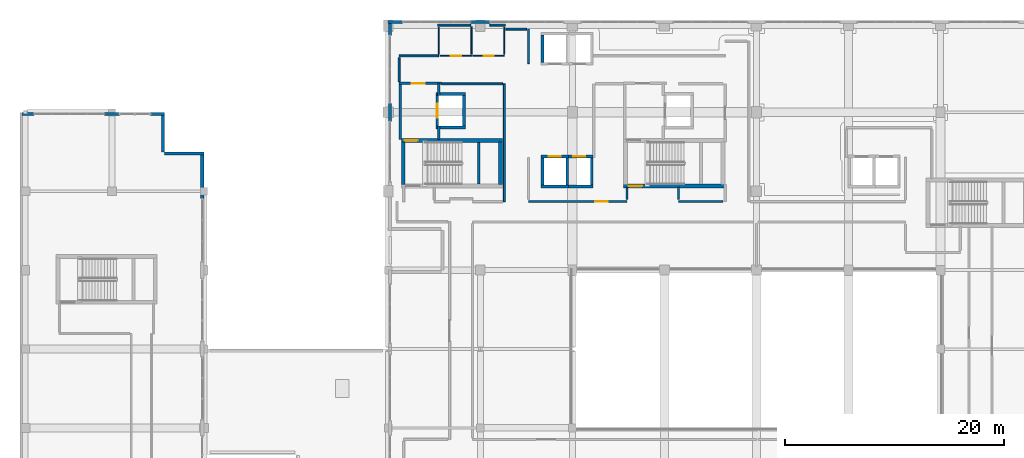
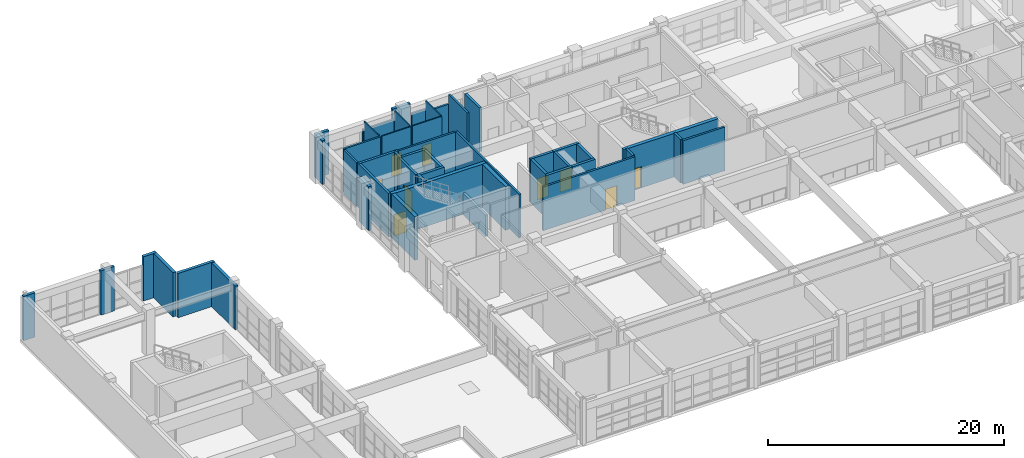
# One storey, part 108 of 123: 48 walls, 9 doors, 9 openings.
"""IFC4 building model written with IfcOpenShell, lengths in metres."""

from ifc_helpers import new_model, si_unit, direction, frame, frame_2d, origin, place, context, subcontext, project, spatial, rectangle, extrude, material, layer, layer_set, type_object, element, fill, save


model = new_model("IFC4")

# Units and contexts
model_context = context("Model", 3, precision=1e-05, world=origin(), true_north=direction((0.0, 1.0)))
body_context = subcontext(model_context, "Body", "Model", "MODEL_VIEW")
ifc_project = project(units=[si_unit("LENGTHUNIT", "METRE"), si_unit("AREAUNIT", "SQUARE_METRE"), si_unit("VOLUMEUNIT", "CUBIC_METRE"), si_unit("PLANEANGLEUNIT", "RADIAN"), si_unit("MASSUNIT", "GRAM", prefix="KILO")], contexts=[model_context])

# Site, building, storey
site_placement = place(None, origin())
site = spatial("IfcSite", under=ifc_project, at=site_placement, CompositionType="ELEMENT")
building_placement = place(site_placement, origin())
building = spatial("IfcBuilding", under=site, at=building_placement, Name="Quendrovan Civic Courthouse", CompositionType="ELEMENT")
storey_placement = place(building_placement, frame((0.0, 0.0, 5.39990234375)))
storey = spatial("IfcBuildingStorey", under=building, at=storey_placement, Name="L02", CompositionType="ELEMENT", Elevation=5.39990234375)

# Wall, opening, door
ifc_material_1 = material(Name="Concrete C45/55", Category="concrete")
ifc_layer_1 = layer(ifc_material_1, 0.35009765625, Name="Concrete C45/55")
ifc_layer_set_1 = layer_set([ifc_layer_1], Name="Concrete C45/55")
wall_type_1 = type_object("IfcWallType", Name="WL-CORE-350", PredefinedType="SHEAR", material=ifc_layer_set_1)
wall_1_placement = place(storey_placement, frame((44.010009765625, 99.43505859375, 0.0), z_axis=(0.0, 0.0, 1.0), x_axis=(-1.0, 0.0, 0.0)))
wall_1 = element("IfcWall", 1, at=wall_1_placement, inside=storey, type_object=wall_type_1, Name="L02 Core Shear Wall ST1-N", PredefinedType="SHEAR", context=body_context, shape_type="SweptSolid", body=[
    extrude(rectangle(XDim=9.219970703125, YDim=0.35009765625, at=frame_2d((4.60986328125, 0.0))), origin(), (0.0, 0.0, 1.0), 4.52001953125),
])
opening_1_placement = place(wall_1_placement, frame((7.719970703125, 0.0, 0.0)))
opening_1 = element("IfcOpeningElement", 2, at=opening_1_placement, cuts=wall_1, Name="Opening DFF-ST1-L02", PredefinedType="OPENING", context=body_context, shape_type="SweptSolid", body=[
    extrude(rectangle(XDim=1.199951171875, YDim=2.199951171875, at=frame_2d((0.60009765625, 1.10009765625))), frame((0.0, 0.18505859375, 0.0), z_axis=(0.0, -1.0, 0.0), x_axis=(1.0, 0.0, 0.0)), (0.0, 0.0, 1.0), 0.3701171875),
])
ifc_material_2 = material(Name="Painted galvanized hollow-metal steel", Category="steel")
door_type_1 = type_object("IfcDoorType", Name="DR-FFLOB-1200", OperationType="NOTDEFINED", PredefinedType="DOOR", material=ifc_material_2)
door_1_placement = place(opening_1_placement, origin())
door_1 = element("IfcDoor", 3, at=door_1_placement, inside=storey, type_object=door_type_1, Name="L02 Firefighting Lobby FL1 Direct Stair ST1 Door", OperationType="SINGLE_SWING_RIGHT", OverallHeight=2.199951171875, OverallWidth=1.199951171875, PredefinedType="DOOR", context=body_context, shape_type="SweptSolid", body=[
    extrude(rectangle(XDim=1.199951171875, YDim=2.199951171875, at=frame_2d((0.60009765625, 1.10009765625))), frame((0.0, 0.02490234375, 0.0), z_axis=(0.0, -1.0, 0.0), x_axis=(1.0, 0.0, 0.0)), (0.0, 0.0, 1.0), 0.050048828125),
])
fill(opening_1, door_1)

# Walls
for number, where, z_axis, x_axis, name in (
    (4, (34.965087890625, 95.39990234375, 0.0), (0.0, 0.0, 1.0), (0.0, 1.0, 0.0), "L02 Core Shear Wall ST1-W"),
    (5, (43.8349609375, 99.300048828125, 0.0), (0.0, 0.0, 1.0), (0.0, -1.0, 0.0), "L02 Core Shear Wall ST1-E"),
):
    element("IfcWall", number, at=place(storey_placement, frame(where, z_axis=z_axis, x_axis=x_axis)), inside=storey, type_object=wall_type_1, Name=name, PredefinedType="SHEAR", context=body_context, shape_type="SweptSolid", body=[
        extrude(rectangle(XDim=3.900146484375, YDim=0.35009765625, at=frame_2d((1.9501953125, 0.0))), origin(), (0.0, 0.0, 1.0), 4.52001953125),
    ])

# Wall, opening, door
wall_2_placement = place(storey_placement, frame((55.090087890625, 95.264892578125, 0.0), z_axis=(0.0, 0.0, 1.0), x_axis=(1.0, 0.0, 0.0)))
wall_2 = element("IfcWall", 6, at=wall_2_placement, inside=storey, type_object=wall_type_1, Name="L02 Core Shear Wall ST2-S", PredefinedType="SHEAR", context=body_context, shape_type="SweptSolid", body=[
    extrude(rectangle(XDim=9.219970703125, YDim=0.35009765625, at=frame_2d((4.60986328125, 0.0))), origin(), (0.0, 0.0, 1.0), 4.52001953125),
])
opening_2_placement = place(wall_2_placement, frame((0.449951171875, 0.0, 0.0)))
opening_2 = element("IfcOpeningElement", 7, at=opening_2_placement, cuts=wall_2, Name="Opening DS-ST2-L02", PredefinedType="OPENING", context=body_context, shape_type="SweptSolid", body=[
    extrude(rectangle(XDim=1.25, YDim=2.199951171875, at=frame_2d((0.625, 1.10009765625))), frame((0.0, 0.18505859375, 0.0), z_axis=(0.0, -1.0, 0.0), x_axis=(1.0, 0.0, 0.0)), (0.0, 0.0, 1.0), 0.3701171875),
])
door_type_2 = type_object("IfcDoorType", Name="DR-STAIR-1250", OperationType="NOTDEFINED", PredefinedType="DOOR", material=ifc_material_2)
door_2_placement = place(opening_2_placement, origin())
door_2 = element("IfcDoor", 8, at=door_2_placement, inside=storey, type_object=door_type_2, Name="L02 Exit Stair ST2 Fire Door", OperationType="SINGLE_SWING_LEFT", OverallHeight=2.199951171875, OverallWidth=1.25, PredefinedType="DOOR", context=body_context, shape_type="SweptSolid", body=[
    extrude(rectangle(XDim=1.25, YDim=2.199951171875, at=frame_2d((0.625, 1.10009765625))), frame((0.0, 0.02490234375, 0.0), z_axis=(0.0, -1.0, 0.0), x_axis=(1.0, 0.0, 0.0)), (0.0, 0.0, 1.0), 0.050048828125),
])
fill(opening_2, door_2)

# Walls
ifc_material_3 = material(Name="Acoustic gypsum and mineral wool partition")
ifc_layer_2 = layer(ifc_material_3, 0.179931640625, Name="Acoustic gypsum and mineral wool partition")
ifc_layer_set_2 = layer_set([ifc_layer_2], Name="Acoustic gypsum and mineral wool partition")
wall_type_2 = type_object("IfcWallType", Name="WL-CRT-AC180", PredefinedType="PARTITIONING", material=ifc_layer_set_2)
wall_3_placement = place(storey_placement, frame((44.199951171875, 104.60009765625, 0.0), z_axis=(0.0, 0.0, 1.0), x_axis=(0.0, -1.0, 0.0)))
element("IfcWall", 9, at=wall_3_placement, inside=storey, type_object=wall_type_2, Name="L02 Trial Courtroom Partition 0333", PredefinedType="PARTITIONING", context=body_context, shape_type="SweptSolid", body=[
    extrude(rectangle(XDim=10.75, YDim=0.179931640625, at=frame_2d((5.375, 0.0))), origin(), (0.0, 0.0, 1.0), 4.52001953125),
])
wall_4_placement = place(storey_placement, frame((44.300048828125, 109.949951171875, 0.0), z_axis=(0.0, 0.0, 1.0), x_axis=(-1.0, 0.0, 0.0)))
element("IfcWall", 10, at=wall_4_placement, inside=storey, type_object=wall_type_2, Name="L02 Trial Courtroom Partition 0346", PredefinedType="PARTITIONING", context=body_context, shape_type="SweptSolid", body=[
    extrude(rectangle(XDim=1.425048828125, YDim=0.179931640625, at=frame_2d((0.71240234375, 0.0))), origin(), (0.0, 0.0, 1.0), 3.60009765625),
])
wall_5_placement = place(storey_placement, frame((41.125, 109.949951171875, 0.0), z_axis=(0.0, 0.0, 1.0), x_axis=(-1.0, 0.0, 0.0)))
element("IfcWall", 11, at=wall_5_placement, inside=storey, type_object=wall_type_2, Name="L02 Trial Courtroom Partition 0347", PredefinedType="PARTITIONING", context=body_context, shape_type="SweptSolid", body=[
    extrude(rectangle(XDim=3.02490234375, YDim=0.179931640625, at=frame_2d((1.512451171875, 0.0))), origin(), (0.0, 0.0, 1.0), 3.60009765625),
])
wall_6_placement = place(storey_placement, frame((38.47998046875, 104.60009765625, 0.0), z_axis=(0.0, 0.0, 1.0), x_axis=(1.0, 0.0, 0.0)))
element("IfcWall", 12, at=wall_6_placement, inside=storey, type_object=wall_type_2, Name="L02 Trial Courtroom Partition 0349", PredefinedType="PARTITIONING", context=body_context, shape_type="SweptSolid", body=[
    extrude(rectangle(XDim=5.550048828125, YDim=0.179931640625, at=frame_2d((2.77490234375, 0.0))), origin(), (0.0, 0.0, 1.0), 4.52001953125),
])
wall_7_placement = place(storey_placement, frame((38.199951171875, 107.14990234375, 0.0), z_axis=(0.0, 0.0, 1.0), x_axis=(-1.0, 0.0, 0.0)))
element("IfcWall", 13, at=wall_7_placement, inside=storey, type_object=wall_type_2, Name="L02 Trial Courtroom Partition 0372", PredefinedType="PARTITIONING", context=body_context, shape_type="SweptSolid", body=[
    extrude(rectangle(XDim=3.599853515625, YDim=0.179931640625, at=frame_2d((1.7998046875, 0.0))), origin(), (0.0, 0.0, 1.0), 4.52001953125),
])
wall_8_placement = place(storey_placement, frame((46.39990234375, 106.449951171875, 0.0), z_axis=(0.0, 0.0, 1.0), x_axis=(0.0, 1.0, 0.0)))
element("IfcWall", 14, at=wall_8_placement, inside=storey, type_object=wall_type_2, Name="L02 Trial Courtroom Partition 0375", PredefinedType="PARTITIONING", context=body_context, shape_type="SweptSolid", body=[
    extrude(rectangle(XDim=3.150146484375, YDim=0.179931640625, at=frame_2d((1.5751953125, 0.0))), origin(), (0.0, 0.0, 1.0), 4.52001953125),
])
wall_9_placement = place(storey_placement, frame((34.60009765625, 106.97998046875, 0.0), z_axis=(0.0, 0.0, 1.0), x_axis=(0.0, -1.0, 0.0)))
element("IfcWall", 15, at=wall_9_placement, inside=storey, type_object=wall_type_2, Name="L02 Trial Courtroom Partition 0394", PredefinedType="PARTITIONING", context=body_context, shape_type="SweptSolid", body=[
    extrude(rectangle(XDim=2.2099609375, YDim=0.179931640625, at=frame_2d((1.10498046875, 0.0))), origin(), (0.0, 0.0, 1.0), 4.52001953125),
])
wall_10_placement = place(storey_placement, frame((46.22998046875, 109.60009765625, 0.0), z_axis=(0.0, 0.0, 1.0), x_axis=(-1.0, 0.0, 0.0)))
element("IfcWall", 16, at=wall_10_placement, inside=storey, type_object=wall_type_2, Name="L02 Trial Courtroom Partition 0401", PredefinedType="PARTITIONING", context=body_context, shape_type="SweptSolid", body=[
    extrude(rectangle(XDim=1.89501953125, YDim=0.179931640625, at=frame_2d((0.947509765625, 0.0))), origin(), (0.0, 0.0, 1.0), 3.60009765625),
])

# Wall, opening, door
ifc_material_4 = material(Name="Concrete C40/50", Category="concrete")
ifc_layer_3 = layer(ifc_material_4, 0.199951171875, Name="Concrete C40/50")
ifc_layer_set_3 = layer_set([ifc_layer_3], Name="Concrete C40/50")
wall_type_3 = type_object("IfcWallType", Name="WL-CUST-200", PredefinedType="PARTITIONING", material=ifc_layer_set_3)
wall_11_placement = place(storey_placement, frame((55.39990234375, 93.85009765625, 0.0), z_axis=(0.0, 0.0, 1.0), x_axis=(-1.0, 0.0, 0.0)))
wall_11 = element("IfcWall", 17, at=wall_11_placement, inside=storey, type_object=wall_type_3, Name="L02 Civil Case Docketing Office Partition 0337", PredefinedType="PARTITIONING", context=body_context, shape_type="SweptSolid", body=[
    extrude(rectangle(XDim=9.0, YDim=0.199951171875, at=frame_2d((4.5, 0.0))), origin(), (0.0, 0.0, 1.0), 4.52001953125),
])
opening_3_placement = place(wall_11_placement, frame((1.780029296875, 0.0, 0.0)))
opening_3 = element("IfcOpeningElement", 18, at=opening_3_placement, cuts=wall_11, Name="Opening D-L02-054", PredefinedType="OPENING", context=body_context, shape_type="SweptSolid", body=[
    extrude(rectangle(XDim=1.1201171875, YDim=2.14990234375, at=frame_2d((0.56005859375, 1.074951171875))), frame((0.0, 0.10986328125, 0.0), z_axis=(0.0, -1.0, 0.0), x_axis=(1.0, 0.0, 0.0)), (0.0, 0.0, 1.0), 0.219970703125),
])
ifc_material_5 = material(Name="Heavy-gauge security steel door", Category="steel")
door_type_3 = type_object("IfcDoorType", Name="DR-CUST-1120", OperationType="NOTDEFINED", PredefinedType="DOOR", material=ifc_material_5)
door_3_placement = place(opening_3_placement, origin())
door_3 = element("IfcDoor", 19, at=door_3_placement, inside=storey, type_object=door_type_3, Name="L02 Civil Case Docketing Office Door D-L02-054", OperationType="SINGLE_SWING_LEFT", OverallHeight=2.14990234375, OverallWidth=1.1201171875, PredefinedType="DOOR", context=body_context, shape_type="SweptSolid", body=[
    extrude(rectangle(XDim=1.1201171875, YDim=2.14990234375, at=frame_2d((0.56005859375, 1.074951171875))), frame((0.0, 0.02490234375, 0.0), z_axis=(0.0, -1.0, 0.0), x_axis=(1.0, 0.0, 0.0)), (0.0, 0.0, 1.0), 0.050048828125),
])
fill(opening_3, door_3)

# Walls
wall_12_placement = place(storey_placement, frame((64.169921875, 93.85009765625, 0.0), z_axis=(0.0, 0.0, 1.0), x_axis=(-1.0, 0.0, 0.0)))
element("IfcWall", 20, at=wall_12_placement, inside=storey, type_object=wall_type_3, Name="L02 Case Docketing and Clerk Suite Partition 0365", PredefinedType="PARTITIONING", context=body_context, shape_type="SweptSolid", body=[
    extrude(rectangle(XDim=4.06982421875, YDim=0.199951171875, at=frame_2d((2.034912109375, 0.0))), origin(), (0.0, 0.0, 1.0), 4.52001953125),
])
for number, where, z_axis, x_axis, name in (
    (21, (55.39990234375, 95.179931640625, 0.0), (0.0, 0.0, 1.0), (0.0, -1.0, 0.0), "L02 Civil Case Docketing Office Partition 0417"),
    (22, (60.10009765625, 94.030029296875, 0.0), (0.0, 0.0, 1.0), (0.0, 1.0, 0.0), "L02 Case Docketing and Clerk Suite Partition 0418"),
):
    element("IfcWall", number, at=place(storey_placement, frame(where, z_axis=z_axis, x_axis=x_axis)), inside=storey, type_object=wall_type_3, Name=name, PredefinedType="PARTITIONING", context=body_context, shape_type="SweptSolid", body=[
        extrude(rectangle(XDim=1.14990234375, YDim=0.199951171875, at=frame_2d((0.574951171875, 0.0))), origin(), (0.0, 0.0, 1.0), 4.52001953125),
    ])
ifc_material_6 = material(Name="Precast concrete C45/55", Category="concrete")
ifc_layer_4 = layer(ifc_material_6, 0.2900390625, Name="Precast concrete C45/55")
ifc_layer_set_4 = layer_set([ifc_layer_4], Name="Precast concrete C45/55")
wall_type_4 = type_object("IfcWallType", Name="WL-EXT-PC290", PredefinedType="SOLIDWALL", material=ifc_layer_set_4)
wall_13_placement = place(storey_placement, frame((0.175048828125, 101.8349609375, 0.0), z_axis=(0.0, 0.0, 1.0), x_axis=(1.0, 0.0, 0.0)))
element("IfcWall", 23, at=wall_13_placement, inside=storey, type_object=wall_type_4, Name="L02 Exterior Pier Wall 166", PredefinedType="SOLIDWALL", context=body_context, shape_type="SweptSolid", body=[
    extrude(rectangle(XDim=1.125, YDim=0.2900390625, at=frame_2d((0.5625, 0.0))), origin(), (0.0, 0.0, 1.0), 4.580078125),
])
wall_14_placement = place(storey_placement, frame((7.72509765625, 101.8349609375, 0.0), z_axis=(0.0, 0.0, 1.0), x_axis=(1.0, 0.0, 0.0)))
element("IfcWall", 24, at=wall_14_placement, inside=storey, type_object=wall_type_4, Name="L02 Exterior Pier Wall 167", PredefinedType="SOLIDWALL", context=body_context, shape_type="SweptSolid", body=[
    extrude(rectangle(XDim=1.349853515625, YDim=0.2900390625, at=frame_2d((0.6748046875, 0.0))), origin(), (0.0, 0.0, 1.0), 4.580078125),
])
wall_15_placement = place(storey_placement, frame((11.89990234375, 101.8349609375, 0.0), z_axis=(0.0, 0.0, 1.0), x_axis=(1.0, 0.0, 0.0)))
element("IfcWall", 25, at=wall_15_placement, inside=storey, type_object=wall_type_4, Name="L02 Exterior Pier Wall 168", PredefinedType="SOLIDWALL", context=body_context, shape_type="SweptSolid", body=[
    extrude(rectangle(XDim=1.300048828125, YDim=0.2900390625, at=frame_2d((0.64990234375, 0.0))), origin(), (0.0, 0.0, 1.0), 4.580078125),
])
for number, where, z_axis, x_axis, name in (
    (26, (13.034912109375, 102.0, 0.0), (0.0, 0.0, 1.0), (0.0, -1.0, 0.0), "L02 Exterior Civic Portal Wall 169"),
    (27, (13.199951171875, 98.235107421875, 0.0), (0.0, 0.0, 1.0), (1.0, 0.0, 0.0), "L02 Exterior Civic Portal Wall 170"),
):
    element("IfcWall", number, at=place(storey_placement, frame(where, z_axis=z_axis, x_axis=x_axis)), inside=storey, type_object=wall_type_4, Name=name, PredefinedType="SOLIDWALL", context=body_context, shape_type="SweptSolid", body=[
        extrude(rectangle(XDim=3.60009765625, YDim=0.2900390625, at=frame_2d((1.800048828125, 0.0))), origin(), (0.0, 0.0, 1.0), 4.580078125),
    ])
wall_16_placement = place(storey_placement, frame((16.635009765625, 98.39990234375, 0.0), z_axis=(0.0, 0.0, 1.0), x_axis=(0.0, -1.0, 0.0)))
element("IfcWall", 28, at=wall_16_placement, inside=storey, type_object=wall_type_4, Name="L02 Exterior Pier Wall 171", PredefinedType="SOLIDWALL", context=body_context, shape_type="SweptSolid", body=[
    extrude(rectangle(XDim=4.27490234375, YDim=0.2900390625, at=frame_2d((2.137451171875, 0.0))), origin(), (0.0, 0.0, 1.0), 4.52001953125),
])
wall_17_placement = place(storey_placement, frame((33.764892578125, 101.175048828125, 0.0), z_axis=(0.0, 0.0, 1.0), x_axis=(0.0, 1.0, 0.0)))
element("IfcWall", 29, at=wall_17_placement, inside=storey, type_object=wall_type_4, Name="L02 Exterior Pier Wall 200", PredefinedType="SOLIDWALL", context=body_context, shape_type="SweptSolid", body=[
    extrude(rectangle(XDim=1.64990234375, YDim=0.2900390625, at=frame_2d((0.824951171875, 0.0))), origin(), (0.0, 0.0, 1.0), 4.52001953125),
])
wall_18_placement = place(storey_placement, frame((33.764892578125, 109.02490234375, 0.0), z_axis=(0.0, 0.0, 1.0), x_axis=(0.0, 1.0, 0.0)))
element("IfcWall", 30, at=wall_18_placement, inside=storey, type_object=wall_type_4, Name="L02 Exterior Pier Wall 201", PredefinedType="SOLIDWALL", context=body_context, shape_type="SweptSolid", body=[
    extrude(rectangle(XDim=1.375, YDim=0.2900390625, at=frame_2d((0.6875, 0.0))), origin(), (0.0, 0.0, 1.0), 4.52001953125),
])
wall_19_placement = place(storey_placement, frame((33.60009765625, 110.235107421875, 0.0), z_axis=(0.0, 0.0, 1.0), x_axis=(1.0, 0.0, 0.0)))
element("IfcWall", 31, at=wall_19_placement, inside=storey, type_object=wall_type_4, Name="L02 Exterior Pier Wall 202", PredefinedType="SOLIDWALL", context=body_context, shape_type="SweptSolid", body=[
    extrude(rectangle(XDim=1.2998046875, YDim=0.2900390625, at=frame_2d((0.64990234375, 0.0))), origin(), (0.0, 0.0, 1.0), 4.52001953125),
])
wall_20_placement = place(storey_placement, frame((41.125, 110.235107421875, 0.0), z_axis=(0.0, 0.0, 1.0), x_axis=(1.0, 0.0, 0.0)))
element("IfcWall", 32, at=wall_20_placement, inside=storey, type_object=wall_type_4, Name="L02 Exterior Pier Wall 203", PredefinedType="SOLIDWALL", context=body_context, shape_type="SweptSolid", body=[
    extrude(rectangle(XDim=1.75, YDim=0.2900390625, at=frame_2d((0.875, 0.0))), origin(), (0.0, 0.0, 1.0), 4.52001953125),
])

# Wall, opening, door
ifc_layer_5 = layer(ifc_material_4, 0.22998046875, Name="Concrete C40/50")
ifc_layer_set_5 = layer_set([ifc_layer_5], Name="Concrete C40/50")
wall_type_5 = type_object("IfcWallType", Name="WL-FFLOB-230", PredefinedType="PARTITIONING", material=ifc_layer_set_5)
wall_21_placement = place(storey_placement, frame((34.590087890625, 104.64990234375, 0.0), z_axis=(0.0, 0.0, 1.0), x_axis=(1.0, 0.0, 0.0)))
wall_21 = element("IfcWall", 33, at=wall_21_placement, inside=storey, type_object=wall_type_5, Name="L02 Firefighting Lift Lobby FL1 Wall N", PredefinedType="PARTITIONING", context=body_context, shape_type="SweptSolid", body=[
    extrude(rectangle(XDim=3.889892578125, YDim=0.22998046875, at=frame_2d((1.94482421875, 0.0))), origin(), (0.0, 0.0, 1.0), 4.52001953125),
])
opening_4_placement = place(wall_21_placement, frame((1.14990234375, 0.0, 0.0)))
opening_4 = element("IfcOpeningElement", 34, at=opening_4_placement, cuts=wall_21, Name="Opening DF-FL1-L02N", PredefinedType="OPENING", context=body_context, shape_type="SweptSolid", body=[
    extrude(rectangle(XDim=1.199951171875, YDim=2.199951171875, at=frame_2d((0.60009765625, 1.10009765625))), frame((0.0, 0.125, 0.0), z_axis=(0.0, -1.0, 0.0), x_axis=(1.0, 0.0, 0.0)), (0.0, 0.0, 1.0), 0.25),
])
door_4_placement = place(opening_4_placement, origin())
door_4 = element("IfcDoor", 35, at=door_4_placement, inside=storey, type_object=door_type_1, Name="L02 Firefighting Lobby FL1 Fire Door N", OperationType="SINGLE_SWING_LEFT", OverallHeight=2.199951171875, OverallWidth=1.199951171875, PredefinedType="DOOR", context=body_context, shape_type="SweptSolid", body=[
    extrude(rectangle(XDim=1.199951171875, YDim=2.199951171875, at=frame_2d((0.60009765625, 1.10009765625))), frame((0.0, 0.02490234375, 0.0), z_axis=(0.0, -1.0, 0.0), x_axis=(1.0, 0.0, 0.0)), (0.0, 0.0, 1.0), 0.050048828125),
])
fill(opening_4, door_4)

# Walls
wall_22_placement = place(storey_placement, frame((34.699951171875, 99.5, 0.0), z_axis=(0.0, 0.0, 1.0), x_axis=(0.0, 1.0, 0.0)))
element("IfcWall", 36, at=wall_22_placement, inside=storey, type_object=wall_type_5, Name="L02 Firefighting Lift Lobby FL1 Wall W", PredefinedType="PARTITIONING", context=body_context, shape_type="SweptSolid", body=[
    extrude(rectangle(XDim=5.260009765625, YDim=0.22998046875, at=frame_2d((2.6298828125, 0.0))), origin(), (0.0, 0.0, 1.0), 4.52001953125),
])
wall_23_placement = place(storey_placement, frame((38.199951171875, 104.64990234375, 0.0), z_axis=(0.0, 0.0, 1.0), x_axis=(0.0, -1.0, 0.0)))
element("IfcWall", 37, at=wall_23_placement, inside=storey, type_object=wall_type_5, Name="L02 Firefighting Lift Lobby FL1 Wall EN", PredefinedType="PARTITIONING", context=body_context, shape_type="SweptSolid", body=[
    extrude(rectangle(XDim=1.099853515625, YDim=0.22998046875, at=frame_2d((0.5498046875, 0.0))), origin(), (0.0, 0.0, 1.0), 4.52001953125),
])
wall_24_placement = place(storey_placement, frame((38.199951171875, 100.75, 0.0), z_axis=(0.0, 0.0, 1.0), x_axis=(0.0, -1.0, 0.0)))
element("IfcWall", 38, at=wall_24_placement, inside=storey, type_object=wall_type_5, Name="L02 Firefighting Lift Lobby FL1 Wall ES", PredefinedType="PARTITIONING", context=body_context, shape_type="SweptSolid", body=[
    extrude(rectangle(XDim=1.25, YDim=0.22998046875, at=frame_2d((0.625, 0.0))), origin(), (0.0, 0.0, 1.0), 4.52001953125),
])
ifc_layer_6 = layer(ifc_material_1, 0.25, Name="Concrete C45/55")
ifc_layer_set_6 = layer_set([ifc_layer_6], Name="Concrete C45/55")
wall_type_6 = type_object("IfcWallType", Name="WL-SHAFT-250", PredefinedType="SHEAR", material=ifc_layer_set_6)
wall_25_placement = place(storey_placement, frame((41.85009765625, 95.449951171875, 0.0), z_axis=(0.0, 0.0, 1.0), x_axis=(0.0, 1.0, 0.0)))
element("IfcWall", 39, at=wall_25_placement, inside=storey, type_object=wall_type_6, Name="L02 Stair ST1 Mid-Landing Bearing Wall", PredefinedType="SHEAR", context=body_context, shape_type="SweptSolid", body=[
    extrude(rectangle(XDim=3.800048828125, YDim=0.25, at=frame_2d((1.89990234375, 0.0))), origin(), (0.0, 0.0, 1.0), 2.22021484375),
])
wall_26_placement = place(storey_placement, frame((47.550048828125, 95.22509765625, 0.0), z_axis=(0.0, 0.0, 1.0), x_axis=(1.0, 0.0, 0.0)))
element("IfcWall", 40, at=wall_26_placement, inside=storey, type_object=wall_type_6, Name="L02 Lift Hoistway Wall PL3 -Y", PredefinedType="SHEAR", context=body_context, shape_type="SweptSolid", body=[
    extrude(rectangle(XDim=2.5, YDim=0.25, at=frame_2d((1.25, 0.0))), origin(), (0.0, 0.0, 1.0), 4.52001953125),
])

# Wall, opening, door
wall_27_placement = place(storey_placement, frame((50.050048828125, 97.97509765625, 0.0), z_axis=(0.0, 0.0, 1.0), x_axis=(-1.0, 0.0, 0.0)))
wall_27 = element("IfcWall", 41, at=wall_27_placement, inside=storey, type_object=wall_type_6, Name="L02 Lift Hoistway Wall PL3 +Y", PredefinedType="SHEAR", context=body_context, shape_type="SweptSolid", body=[
    extrude(rectangle(XDim=2.5, YDim=0.25, at=frame_2d((1.25, 0.0))), origin(), (0.0, 0.0, 1.0), 4.52001953125),
])
opening_5_placement = place(wall_27_placement, frame((0.699951171875, 0.0, 0.0)))
opening_5 = element("IfcOpeningElement", 42, at=opening_5_placement, cuts=wall_27, Name="Opening LD-PL3-L02", PredefinedType="OPENING", context=body_context, shape_type="SweptSolid", body=[
    extrude(rectangle(XDim=1.10009765625, YDim=2.199951171875, at=frame_2d((0.550048828125, 1.10009765625))), frame((0.0, 0.135009765625, 0.0), z_axis=(0.0, -1.0, 0.0), x_axis=(1.0, 0.0, 0.0)), (0.0, 0.0, 1.0), 0.27001953125),
])
ifc_material_7 = material(Name="Brushed bronze-anodised stainless steel", Category="steel")
door_type_4 = type_object("IfcDoorType", Name="DR-LIFT-LD-PL", OperationType="NOTDEFINED", PredefinedType="DOOR", material=ifc_material_7)
door_5_placement = place(opening_5_placement, origin())
door_5 = element("IfcDoor", 43, at=door_5_placement, inside=storey, type_object=door_type_4, Name="L02 Lift PL3 Sliding Landing Door", OperationType="SLIDING_TO_LEFT", OverallHeight=2.199951171875, OverallWidth=1.10009765625, PredefinedType="DOOR", context=body_context, shape_type="SweptSolid", body=[
    extrude(rectangle(XDim=1.10009765625, YDim=2.199951171875, at=frame_2d((0.550048828125, 1.10009765625))), frame((0.0, 0.02490234375, 0.0), z_axis=(0.0, -1.0, 0.0), x_axis=(1.0, 0.0, 0.0)), (0.0, 0.0, 1.0), 0.050048828125),
])
fill(opening_5, door_5)

# Walls
for number, where, z_axis, x_axis, name in (
    (44, (47.675048828125, 95.35009765625, 0.0), (0.0, 0.0, 1.0), (0.0, 1.0, 0.0), "L02 Lift Hoistway Wall PL3 -X"),
    (45, (49.925048828125, 97.85009765625, 0.0), (0.0, 0.0, 1.0), (0.0, -1.0, 0.0), "L02 Lift Hoistway Wall PL3 +X"),
    (46, (49.800048828125, 95.22509765625, 0.0), (0.0, 0.0, 1.0), (1.0, 0.0, 0.0), "L02 Lift Hoistway Wall PL4 -Y"),
):
    element("IfcWall", number, at=place(storey_placement, frame(where, z_axis=z_axis, x_axis=x_axis)), inside=storey, type_object=wall_type_6, Name=name, PredefinedType="SHEAR", context=body_context, shape_type="SweptSolid", body=[
        extrude(rectangle(XDim=2.5, YDim=0.25, at=frame_2d((1.25, 0.0))), origin(), (0.0, 0.0, 1.0), 4.52001953125),
    ])

# Wall, opening, door
wall_28_placement = place(storey_placement, frame((52.300048828125, 97.97509765625, 0.0), z_axis=(0.0, 0.0, 1.0), x_axis=(-1.0, 0.0, 0.0)))
wall_28 = element("IfcWall", 47, at=wall_28_placement, inside=storey, type_object=wall_type_6, Name="L02 Lift Hoistway Wall PL4 +Y", PredefinedType="SHEAR", context=body_context, shape_type="SweptSolid", body=[
    extrude(rectangle(XDim=2.5, YDim=0.25, at=frame_2d((1.25, 0.0))), origin(), (0.0, 0.0, 1.0), 4.52001953125),
])
opening_6_placement = place(wall_28_placement, frame((0.699951171875, 0.0, 0.0)))
opening_6 = element("IfcOpeningElement", 48, at=opening_6_placement, cuts=wall_28, Name="Opening LD-PL4-L02", PredefinedType="OPENING", context=body_context, shape_type="SweptSolid", body=[
    extrude(rectangle(XDim=1.10009765625, YDim=2.199951171875, at=frame_2d((0.550048828125, 1.10009765625))), frame((0.0, 0.135009765625, 0.0), z_axis=(0.0, -1.0, 0.0), x_axis=(1.0, 0.0, 0.0)), (0.0, 0.0, 1.0), 0.27001953125),
])
door_6_placement = place(opening_6_placement, origin())
door_6 = element("IfcDoor", 49, at=door_6_placement, inside=storey, type_object=door_type_4, Name="L02 Lift PL4 Sliding Landing Door", OperationType="SLIDING_TO_LEFT", OverallHeight=2.199951171875, OverallWidth=1.10009765625, PredefinedType="DOOR", context=body_context, shape_type="SweptSolid", body=[
    extrude(rectangle(XDim=1.10009765625, YDim=2.199951171875, at=frame_2d((0.550048828125, 1.10009765625))), frame((0.0, 0.02490234375, 0.0), z_axis=(0.0, -1.0, 0.0), x_axis=(1.0, 0.0, 0.0)), (0.0, 0.0, 1.0), 0.050048828125),
])
fill(opening_6, door_6)

# Walls
for number, where, z_axis, x_axis, name in (
    (50, (52.175048828125, 97.85009765625, 0.0), (0.0, 0.0, 1.0), (0.0, -1.0, 0.0), "L02 Lift Hoistway Wall PL4 +X"),
    (51, (47.675048828125, 106.550048828125, 0.0), (0.0, 0.0, 1.0), (0.0, 1.0, 0.0), "L02 Lift Hoistway Wall JL1 -X"),
):
    element("IfcWall", number, at=place(storey_placement, frame(where, z_axis=z_axis, x_axis=x_axis)), inside=storey, type_object=wall_type_6, Name=name, PredefinedType="SHEAR", context=body_context, shape_type="SweptSolid", body=[
        extrude(rectangle(XDim=2.5, YDim=0.25, at=frame_2d((1.25, 0.0))), origin(), (0.0, 0.0, 1.0), 4.52001953125),
    ])
for number, where, z_axis, x_axis, name in (
    (52, (37.949951171875, 100.625, 0.0), (0.0, 0.0, 1.0), (1.0, 0.0, 0.0), "L02 Lift Hoistway Wall FL1 -Y"),
    (53, (40.64990234375, 103.675048828125, 0.0), (0.0, 0.0, 1.0), (-1.0, 0.0, 0.0), "L02 Lift Hoistway Wall FL1 +Y"),
):
    element("IfcWall", number, at=place(storey_placement, frame(where, z_axis=z_axis, x_axis=x_axis)), inside=storey, type_object=wall_type_6, Name=name, PredefinedType="SHEAR", context=body_context, shape_type="SweptSolid", body=[
        extrude(rectangle(XDim=2.699951171875, YDim=0.25, at=frame_2d((1.35009765625, 0.0))), origin(), (0.0, 0.0, 1.0), 4.52001953125),
    ])

# Wall, opening, door
wall_29_placement = place(storey_placement, frame((38.074951171875, 100.75, 0.0), z_axis=(0.0, 0.0, 1.0), x_axis=(0.0, 1.0, 0.0)))
wall_29 = element("IfcWall", 54, at=wall_29_placement, inside=storey, type_object=wall_type_6, Name="L02 Lift Hoistway Wall FL1 -X", PredefinedType="SHEAR", context=body_context, shape_type="SweptSolid", body=[
    extrude(rectangle(XDim=2.800048828125, YDim=0.25, at=frame_2d((1.39990234375, 0.0))), origin(), (0.0, 0.0, 1.0), 4.52001953125),
])
opening_7_placement = place(wall_29_placement, frame((0.75, 0.0, 0.0)))
opening_7 = element("IfcOpeningElement", 55, at=opening_7_placement, cuts=wall_29, Name="Opening LD-FL1-L02", PredefinedType="OPENING", context=body_context, shape_type="SweptSolid", body=[
    extrude(rectangle(XDim=1.300048828125, YDim=2.25, at=frame_2d((0.64990234375, 1.125))), frame((0.0, 0.135009765625, 0.0), z_axis=(0.0, -1.0, 0.0), x_axis=(1.0, 0.0, 0.0)), (0.0, 0.0, 1.0), 0.27001953125),
])
ifc_material_8 = material(Name="Smoke-tight fire-service stainless steel", Category="steel")
door_type_5 = type_object("IfcDoorType", Name="DR-LIFT-LD-FL", OperationType="NOTDEFINED", PredefinedType="DOOR", material=ifc_material_8)
door_7_placement = place(opening_7_placement, origin())
door_7 = element("IfcDoor", 56, at=door_7_placement, inside=storey, type_object=door_type_5, Name="L02 Lift FL1 Sliding Landing Door", OperationType="SLIDING_TO_LEFT", OverallHeight=2.25, OverallWidth=1.300048828125, PredefinedType="DOOR", context=body_context, shape_type="SweptSolid", body=[
    extrude(rectangle(XDim=1.300048828125, YDim=2.25, at=frame_2d((0.64990234375, 1.125))), frame((0.0, 0.02490234375, 0.0), z_axis=(0.0, -1.0, 0.0), x_axis=(1.0, 0.0, 0.0)), (0.0, 0.0, 1.0), 0.050048828125),
])
fill(opening_7, door_7)

# Wall
wall_30_placement = place(storey_placement, frame((40.52490234375, 103.550048828125, 0.0), z_axis=(0.0, 0.0, 1.0), x_axis=(0.0, -1.0, 0.0)))
element("IfcWall", 57, at=wall_30_placement, inside=storey, type_object=wall_type_6, Name="L02 Lift Hoistway Wall FL1 +X", PredefinedType="SHEAR", context=body_context, shape_type="SweptSolid", body=[
    extrude(rectangle(XDim=2.800048828125, YDim=0.25, at=frame_2d((1.39990234375, 0.0))), origin(), (0.0, 0.0, 1.0), 4.52001953125),
])

# Wall, opening, door
ifc_material_9 = material(Name="Moisture-resistant tile-backer partition")
ifc_layer_7 = layer(ifc_material_9, 0.110107421875, Name="Moisture-resistant tile-backer partition")
ifc_layer_set_7 = layer_set([ifc_layer_7], Name="Moisture-resistant tile-backer partition")
wall_type_7 = type_object("IfcWallType", Name="WL-WET-110", PredefinedType="PARTITIONING", material=ifc_layer_set_7)
wall_31_placement = place(storey_placement, frame((41.199951171875, 107.14990234375, 0.0), z_axis=(0.0, 0.0, 1.0), x_axis=(-1.0, 0.0, 0.0)))
wall_31 = element("IfcWall", 58, at=wall_31_placement, inside=storey, type_object=wall_type_7, Name="L02 L02 Accessible WC Partition 0376", PredefinedType="PARTITIONING", context=body_context, shape_type="SweptSolid", body=[
    extrude(rectangle(XDim=2.829833984375, YDim=0.110107421875, at=frame_2d((1.4150390625, 0.0))), origin(), (0.0, 0.0, 1.0), 4.52001953125),
])
opening_8_placement = place(wall_31_placement, frame((0.93505859375, 0.0, 0.0)))
opening_8 = element("IfcOpeningElement", 59, at=opening_8_placement, cuts=wall_31, Name="Opening D-L02-043", PredefinedType="OPENING", context=body_context, shape_type="SweptSolid", body=[
    extrude(rectangle(XDim=0.9599609375, YDim=2.139892578125, at=frame_2d((0.47998046875, 1.06982421875))), frame((0.0, 0.06494140625, 0.0), z_axis=(0.0, -1.0, 0.0), x_axis=(1.0, 0.0, 0.0)), (0.0, 0.0, 1.0), 0.130126953125),
])
ifc_material_10 = material(Name="Moisture-resistant laminate timber door", Category="wood")
door_type_6 = type_object("IfcDoorType", Name="DR-WC-ACC-960", OperationType="NOTDEFINED", PredefinedType="DOOR", material=ifc_material_10)
door_8_placement = place(opening_8_placement, origin())
door_8 = element("IfcDoor", 60, at=door_8_placement, inside=storey, type_object=door_type_6, Name="L02 L02 Accessible WC Door D-L02-043", OperationType="SINGLE_SWING_RIGHT", OverallHeight=2.139892578125, OverallWidth=0.9599609375, PredefinedType="DOOR", context=body_context, shape_type="SweptSolid", body=[
    extrude(rectangle(XDim=0.9599609375, YDim=2.139892578125, at=frame_2d((0.47998046875, 1.06982421875))), frame((0.0, 0.02490234375, 0.0), z_axis=(0.0, -1.0, 0.0), x_axis=(1.0, 0.0, 0.0)), (0.0, 0.0, 1.0), 0.050048828125),
])
fill(opening_8, door_8)

wall_32_placement = place(storey_placement, frame((44.199951171875, 107.14990234375, 0.0), z_axis=(0.0, 0.0, 1.0), x_axis=(-1.0, 0.0, 0.0)))
wall_32 = element("IfcWall", 61, at=wall_32_placement, inside=storey, type_object=wall_type_7, Name="L02 L02 Judicial and Public Restroom Partition 0377", PredefinedType="PARTITIONING", context=body_context, shape_type="SweptSolid", body=[
    extrude(rectangle(XDim=2.864990234375, YDim=0.110107421875, at=frame_2d((1.4326171875, 0.0))), origin(), (0.0, 0.0, 1.0), 4.52001953125),
])
opening_9_placement = place(wall_32_placement, frame((0.972412109375, 0.0, 0.0)))
opening_9 = element("IfcOpeningElement", 62, at=opening_9_placement, cuts=wall_32, Name="Opening D-L02-044", PredefinedType="OPENING", context=body_context, shape_type="SweptSolid", body=[
    extrude(rectangle(XDim=0.919921875, YDim=2.1201171875, at=frame_2d((0.4599609375, 1.06005859375))), frame((0.0, 0.06494140625, 0.0), z_axis=(0.0, -1.0, 0.0), x_axis=(1.0, 0.0, 0.0)), (0.0, 0.0, 1.0), 0.130126953125),
])
door_type_7 = type_object("IfcDoorType", Name="DR-WC-STD-920", OperationType="NOTDEFINED", PredefinedType="DOOR", material=ifc_material_10)
door_9_placement = place(opening_9_placement, origin())
door_9 = element("IfcDoor", 63, at=door_9_placement, inside=storey, type_object=door_type_7, Name="L02 L02 Judicial and Public Restroom Door D-L02-044", OperationType="SINGLE_SWING_LEFT", OverallHeight=2.1201171875, OverallWidth=0.919921875, PredefinedType="DOOR", context=body_context, shape_type="SweptSolid", body=[
    extrude(rectangle(XDim=0.919921875, YDim=2.1201171875, at=frame_2d((0.4599609375, 1.06005859375))), frame((0.0, 0.02490234375, 0.0), z_axis=(0.0, -1.0, 0.0), x_axis=(1.0, 0.0, 0.0)), (0.0, 0.0, 1.0), 0.050048828125),
])
fill(opening_9, door_9)

# Walls
wall_33_placement = place(storey_placement, frame((41.199951171875, 109.797607421875, 0.0), z_axis=(0.0, 0.0, 1.0), x_axis=(0.0, -1.0, 0.0)))
element("IfcWall", 64, at=wall_33_placement, inside=storey, type_object=wall_type_7, Name="L02 L02 Accessible WC Partition 0380", PredefinedType="PARTITIONING", context=body_context, shape_type="SweptSolid", body=[
    extrude(rectangle(XDim=2.5126953125, YDim=0.110107421875, at=frame_2d((1.25634765625, 0.0))), origin(), (0.0, 0.0, 1.0), 4.52001953125),
])
wall_34_placement = place(storey_placement, frame((38.199951171875, 107.320068359375, 0.0), z_axis=(0.0, 0.0, 1.0), x_axis=(0.0, 1.0, 0.0)))
element("IfcWall", 65, at=wall_34_placement, inside=storey, type_object=wall_type_7, Name="L02 L02 Accessible WC Partition 0381", PredefinedType="PARTITIONING", context=body_context, shape_type="SweptSolid", body=[
    extrude(rectangle(XDim=2.4599609375, YDim=0.110107421875, at=frame_2d((1.22998046875, 0.0))), origin(), (0.0, 0.0, 1.0), 4.52001953125),
])
wall_35_placement = place(storey_placement, frame((44.199951171875, 109.780029296875, 0.0), z_axis=(0.0, 0.0, 1.0), x_axis=(0.0, -1.0, 0.0)))
element("IfcWall", 66, at=wall_35_placement, inside=storey, type_object=wall_type_7, Name="L02 L02 Judicial and Public Restroom Partition 0382", PredefinedType="PARTITIONING", context=body_context, shape_type="SweptSolid", body=[
    extrude(rectangle(XDim=2.4951171875, YDim=0.110107421875, at=frame_2d((1.24755859375, 0.0))), origin(), (0.0, 0.0, 1.0), 4.52001953125),
])

save(model, "model.ifc")
